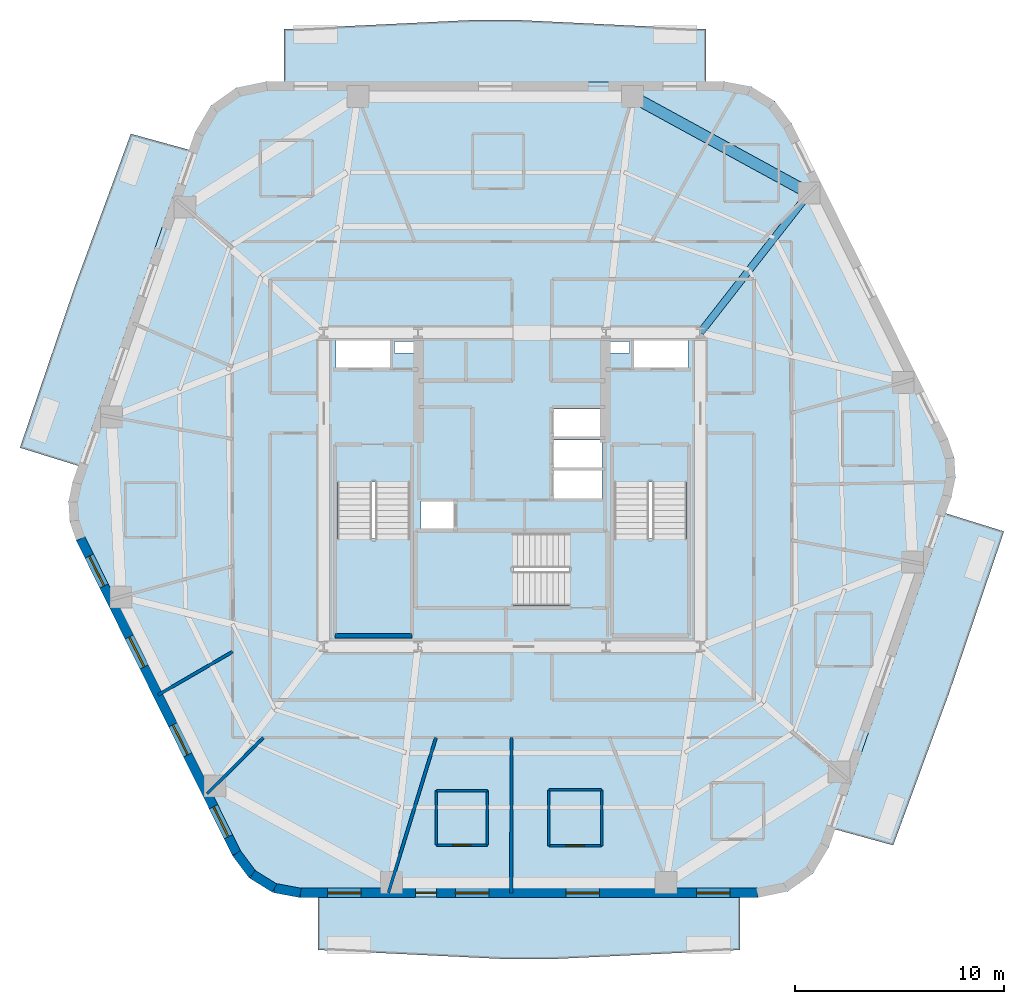
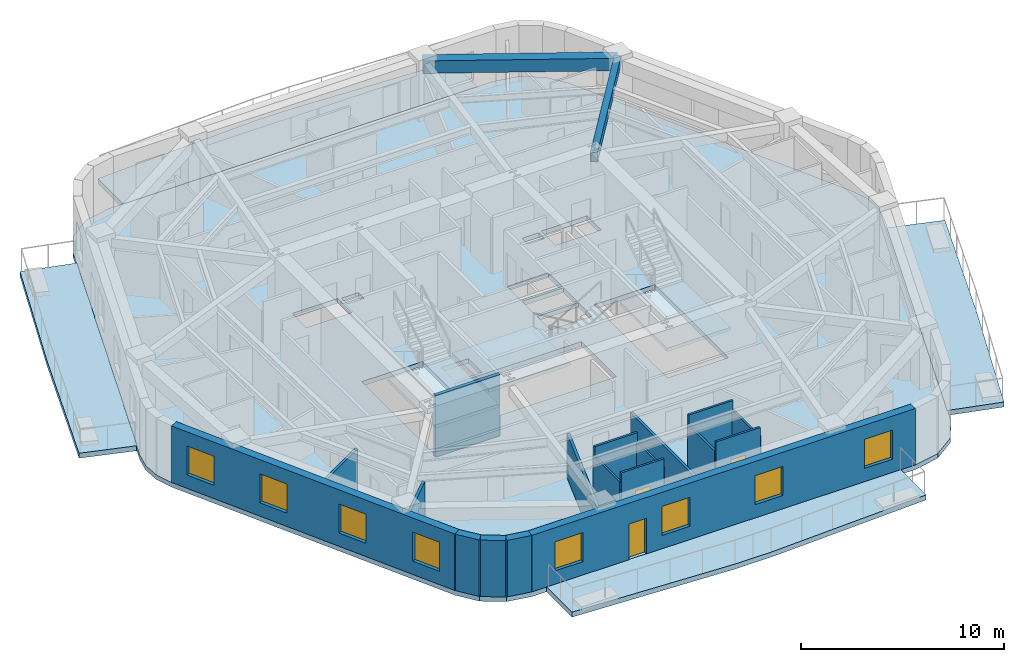
# One storey, part 2 of 11: 18 walls, 8 slabs, 8 windows, 3 doors, 2 beams, 11 openings, 3 elements without a shape of their own.
"""IFC4 building model written with IfcOpenShell, lengths in metres."""

from ifc_helpers import new_model, si_unit, direction, frame, frame_2d, origin, origin_2d, place, context, subcontext, project, spatial, polyline, rectangle, outline, extrude, material, layer, layer_set, material_profile, profile_set, type_object, element, fill, aggregate, save


model = new_model("IFC4")

# Units and contexts
model_context = context("Model", 3, precision=1e-05, world=origin(), true_north=direction((0.0, 1.0)))
body_context = subcontext(model_context, "Body", "Model", "MODEL_VIEW")
ifc_project = project(units=[si_unit("LENGTHUNIT", "METRE"), si_unit("AREAUNIT", "SQUARE_METRE"), si_unit("VOLUMEUNIT", "CUBIC_METRE"), si_unit("PLANEANGLEUNIT", "RADIAN"), si_unit("MASSUNIT", "GRAM", prefix="KILO")], contexts=[model_context])

# Site, building, storey
site_placement = place(None, origin())
site = spatial("IfcSite", under=ifc_project, at=site_placement, CompositionType="ELEMENT")
building_placement = place(site_placement, origin())
building = spatial("IfcBuilding", under=site, at=building_placement, Name="Kilnhurst Terrace Hotel", CompositionType="ELEMENT")
storey_placement = place(building_placement, frame((0.0, 0.0, 194.10009765625)))
storey = spatial("IfcBuildingStorey", under=building, at=storey_placement, Name="L48", CompositionType="ELEMENT", Elevation=194.10009765625)

# Beams
ifc_material_1 = material(Name="Concrete C50/60", Category="concrete")
ifc_material_profile_1 = material_profile(ifc_material_1, rectangle(XDim=0.35009765625, YDim=0.550048828125, at=origin_2d()), Name="RC350X550")
ifc_profile_set_1 = profile_set([ifc_material_profile_1], Name="Concrete C50/60")
beam_type_1 = type_object("IfcBeamType", Name="BM-RAD-350X550", PredefinedType="BEAM", material=ifc_profile_set_1)
beam_1_placement = place(storey_placement, frame((9.0, 7.5, 3.125), z_axis=(0.615370616457, 0.78823791104, 0.0), x_axis=(-0.78823791104, 0.615370616457, 0.0)))
element("IfcBeam", 1, at=beam_1_placement, inside=storey, type_object=beam_type_1, Name="L48 Radial Floor Beam 6", PredefinedType="BEAM", context=body_context, shape_type="SweptSolid", body=[
    extrude(rectangle(XDim=0.35009765625, YDim=0.550048828125, at=origin_2d()), origin(), (0.0, 0.0, 1.0), 8.456787109375),
])
ifc_material_profile_2 = material_profile(ifc_material_1, rectangle(XDim=0.550048828125, YDim=0.75, at=origin_2d()), Name="RC550X750")
ifc_profile_set_2 = profile_set([ifc_material_profile_2], Name="Concrete C50/60")
beam_type_2 = type_object("IfcBeamType", Name="BM-SPN-550X750", PredefinedType="SPANDREL", material=ifc_profile_set_2)
beam_2_placement = place(storey_placement, frame((14.2041015625, 14.166015625, 3.02490234375), z_axis=(-0.87766189723, 0.479280287672, 0.0), x_axis=(-0.479280287672, -0.87766189723, 0.0)))
element("IfcBeam", 2, at=beam_2_placement, inside=storey, type_object=beam_type_2, Name="L48 Perimeter Spandrel Beam 6", PredefinedType="SPANDREL", context=body_context, shape_type="SweptSolid", body=[
    extrude(rectangle(XDim=0.550048828125, YDim=0.75, at=origin_2d()), origin(), (0.0, 0.0, 1.0), 9.626953125),
])

# Slabs
ifc_layer_1 = layer(ifc_material_1, 0.300048828125, Name="Concrete C50/60")
ifc_layer_set_1 = layer_set([ifc_layer_1], Name="Concrete C50/60")
slab_type_1 = type_object("IfcSlabType", Name="SLB-BAL-300", PredefinedType="FLOOR", material=ifc_layer_set_1)
slab_1_placement = place(storey_placement, frame((0.0, 0.0, -0.300048828125)))
element("IfcSlab", 3, at=slab_1_placement, inside=storey, type_object=slab_type_1, Name="L48 Cantilevered Planted Terrace Slab BAL-L1A", PredefinedType="FLOOR", context=body_context, shape_type="SweptSolid", body=[
    extrude(outline(polyline([(1.83642578125, -22.43994140625), (-0.221923828125, -22.43994140625), (-9.279296875, -22.0), (-9.279296875, -19.47998046875), (10.8935546875, -19.47998046875), (10.8935546875, -22.0), (1.83642578125, -22.43994140625)])), origin(), (0.0, 0.0, 1.0), 0.300048828125),
])
slab_2_placement = place(storey_placement, frame((0.0, 0.0, -0.300048828125)))
element("IfcSlab", 4, at=slab_2_placement, inside=storey, type_object=slab_type_1, Name="L48 Cantilevered Planted Terrace Slab BAL-L1B", PredefinedType="FLOOR", context=body_context, shape_type="SweptSolid", body=[
    extrude(outline(polyline([(18.216064453125, -17.0), (15.420654296875, -16.2314453125), (20.708251953125, -1.128662109375), (23.511962890625, -2.0), (20.892333984375, -9.7119140625), (18.216064453125, -17.0)])), origin(), (0.0, 0.0, 1.0), 0.300048828125),
])
slab_3_placement = place(storey_placement, frame((0.0, 0.0, -0.300048828125)))
element("IfcSlab", 5, at=slab_3_placement, inside=storey, type_object=slab_type_1, Name="L48 Cantilevered Planted Terrace Slab BAL-L2A", PredefinedType="FLOOR", context=body_context, shape_type="SweptSolid", body=[
    extrude(outline(polyline([(0.221923828125, 22.43994140625), (9.279296875, 22.0), (9.279296875, 19.47998046875), (-10.8935546875, 19.47998046875), (-10.8935546875, 22.0), (-1.83642578125, 22.43994140625), (0.221923828125, 22.43994140625)])), origin(), (0.0, 0.0, 1.0), 0.300048828125),
])
slab_4_placement = place(storey_placement, frame((0.0, 0.0, -0.300048828125)))
element("IfcSlab", 6, at=slab_4_placement, inside=storey, type_object=slab_type_1, Name="L48 Cantilevered Planted Terrace Slab BAL-L2B", PredefinedType="FLOOR", context=body_context, shape_type="SweptSolid", body=[
    extrude(outline(polyline([(-18.216064453125, 17.0), (-15.420654296875, 16.2314453125), (-20.708251953125, 1.128662109375), (-23.511962890625, 2.0), (-20.892333984375, 9.7119140625), (-18.216064453125, 17.0)])), origin(), (0.0, 0.0, 1.0), 0.300048828125),
])
ifc_layer_2 = layer(ifc_material_1, 0.280029296875, Name="Concrete C50/60")
ifc_layer_set_2 = layer_set([ifc_layer_2], Name="Concrete C50/60")
slab_type_2 = type_object("IfcSlabType", Name="SLB-FLR-280", PredefinedType="FLOOR", material=ifc_layer_set_2)
slab_5_placement = place(storey_placement, frame((0.0, 0.0, -0.280029296875)))
element("IfcSlab", 7, at=slab_5_placement, inside=storey, type_object=slab_type_2, Name="L48 Structural Floor Slab", PredefinedType="FLOOR", context=body_context, shape_type="SweptSolid", body=[
    extrude(outline(polyline([(-13.3544921875, -17.499267578125), (-12.5576171875, -18.5576171875), (-11.431640625, -19.256103515625), (-10.12939453125, -19.5), (11.74365234375, -19.5), (13.18310546875, -19.19970703125), (14.38232421875, -18.348876953125), (15.141357421875, -17.089599609375), (20.9990234375, -0.3583984375), (21.192138671875, 0.57568359375), (21.13330078125, 1.527587890625), (20.82666015625, 2.4306640625), (13.3544921875, 17.499267578125), (12.5576171875, 18.5576171875), (11.431640625, 19.256103515625), (10.12939453125, 19.5), (-11.74365234375, 19.5), (-13.18310546875, 19.19970703125), (-14.38232421875, 18.348876953125), (-15.141357421875, 17.089599609375), (-20.9990234375, 0.3583984375), (-21.192138671875, -0.57568359375), (-21.13330078125, -1.527587890625), (-20.82666015625, -2.4306640625), (-13.3544921875, -17.499267578125)]), holes=[polyline([(2.7548828125, -2.080078125), (2.7548828125, -5.550048828125), (-4.5, -5.550048828125), (-4.5, -2.080078125), (2.7548828125, -2.080078125)]), polyline([(-8.35009765625, 0.35498046875), (-4.8798828125, 0.35498046875), (-4.8798828125, -6.89990234375), (-8.35009765625, -6.89990234375), (-8.35009765625, 0.35498046875)]), polyline([(-2.800048828125, -1.89990234375), (-4.35009765625, -1.89990234375), (-4.35009765625, -0.550048828125), (-2.800048828125, -0.550048828125), (-2.800048828125, -1.89990234375)]), polyline([(1.949951171875, -0.429931640625), (1.949951171875, 0.89990234375), (4.300048828125, 0.89990234375), (4.300048828125, -0.429931640625), (1.949951171875, -0.429931640625)]), polyline([(-8.39990234375, 5.75), (-8.39990234375, 7.14990234375), (-5.800048828125, 7.14990234375), (-5.800048828125, 5.75), (-8.39990234375, 5.75)]), polyline([(-4.659912109375, 6.52001953125), (-5.6201171875, 6.52001953125), (-5.6201171875, 7.080078125), (-4.659912109375, 7.080078125), (-4.659912109375, 6.52001953125)]), polyline([(8.35009765625, 0.35498046875), (8.35009765625, -6.89990234375), (4.8798828125, -6.89990234375), (4.8798828125, 0.35498046875), (8.35009765625, 0.35498046875)]), polyline([(1.949951171875, 1.050048828125), (1.949951171875, 2.3798828125), (4.300048828125, 2.3798828125), (4.300048828125, 1.050048828125), (1.949951171875, 1.050048828125)]), polyline([(4.300048828125, 2.530029296875), (1.949951171875, 2.530029296875), (1.949951171875, 3.860107421875), (4.300048828125, 3.860107421875), (4.300048828125, 2.530029296875)]), polyline([(5.800048828125, 5.75), (5.800048828125, 7.14990234375), (8.39990234375, 7.14990234375), (8.39990234375, 5.75), (5.800048828125, 5.75)]), polyline([(4.659912109375, 6.52001953125), (4.659912109375, 7.080078125), (5.6201171875, 7.080078125), (5.6201171875, 6.52001953125), (4.659912109375, 6.52001953125)])]), origin(), (0.0, 0.0, 1.0), 0.280029296875),
])

# Stair, slab
stair_type = type_object("IfcStairType", Name="STR-CORE-1660", PredefinedType="HALF_TURN_STAIR", material=ifc_material_1)
stair_1_placement = place(storey_placement, origin())
stair_1 = element("IfcStair", 8, at=stair_1_placement, inside=storey, type_object=stair_type, Name="L48 ST-1", PredefinedType="HALF_TURN_STAIR")
ifc_layer_3 = layer(ifc_material_1, 0.199951171875, Name="Concrete C50/60")
ifc_layer_set_3 = layer_set([ifc_layer_3], Name="Concrete C50/60")
slab_type_3 = type_object("IfcSlabType", Name="SLB-ST-LND-200", PredefinedType="LANDING", material=ifc_layer_set_3)
slab_6_placement = place(storey_placement, frame((0.0, 0.0, 1.64990234375)))
slab_6 = element("IfcSlab", 9, at=slab_6_placement, type_object=slab_type_3, Name="ST-1 landing 1", PredefinedType="LANDING", context=body_context, shape_type="SweptSolid", body=[
    extrude(outline(polyline([(-8.429931640625, -2.330078125), (-4.800048828125, -2.330078125), (-4.800048828125, -6.97998046875), (-8.429931640625, -6.97998046875), (-8.429931640625, -2.330078125)])), origin(), (0.0, 0.0, 1.0), 0.199951171875),
])
aggregate(stair_1, [slab_6])

stair_2_placement = place(storey_placement, origin())
stair_2 = element("IfcStair", 10, at=stair_2_placement, inside=storey, type_object=stair_type, Name="L48 ST-2", PredefinedType="HALF_TURN_STAIR")
slab_7_placement = place(storey_placement, frame((0.0, 0.0, 1.64990234375)))
slab_7 = element("IfcSlab", 11, at=slab_7_placement, type_object=slab_type_3, Name="ST-2 landing 1", PredefinedType="LANDING", context=body_context, shape_type="SweptSolid", body=[
    extrude(outline(polyline([(4.800048828125, -2.330078125), (8.429931640625, -2.330078125), (8.429931640625, -6.97998046875), (4.800048828125, -6.97998046875), (4.800048828125, -2.330078125)])), origin(), (0.0, 0.0, 1.0), 0.199951171875),
])
aggregate(stair_2, [slab_7])

stair_3_placement = place(storey_placement, origin())
stair_3 = element("IfcStair", 12, at=stair_3_placement, inside=storey, type_object=stair_type, Name="L48 ST-3", PredefinedType="HALF_TURN_STAIR")
slab_8_placement = place(storey_placement, frame((0.0, 0.0, 1.64990234375)))
slab_8 = element("IfcSlab", 13, at=slab_8_placement, type_object=slab_type_3, Name="ST-3 landing 1", PredefinedType="LANDING", context=body_context, shape_type="SweptSolid", body=[
    extrude(outline(polyline([(0.070068359375, -2.0), (0.070068359375, -5.6298828125), (-4.580078125, -5.6298828125), (-4.580078125, -2.0), (0.070068359375, -2.0)])), origin(), (0.0, 0.0, 1.0), 0.199951171875),
])
aggregate(stair_3, [slab_8])

# Walls
ifc_material_2 = material(Name="Precast concrete C40/50", Category="concrete")
ifc_layer_4 = layer(ifc_material_2, 0.449951171875, Name="Precast concrete C40/50")
ifc_layer_set_4 = layer_set([ifc_layer_4], Name="Precast concrete C40/50")
wall_type_1 = type_object("IfcWallType", Name="WL-BRK-450", PredefinedType="SOLIDWALL", material=ifc_layer_set_4)
wall_1_placement = place(storey_placement, frame((-13.162353515625, -17.380615234375, 0.0), z_axis=(0.0, 0.0, 1.0), x_axis=(0.601515770517, -0.798860925205, 0.0)))
element("IfcWall", 14, at=wall_1_placement, inside=storey, type_object=wall_type_1, Name="L48 Rounded Corner Brick Wall C1.1", PredefinedType="SOLIDWALL", context=body_context, shape_type="SweptSolid", body=[
    extrude(rectangle(XDim=1.261962890625, YDim=0.449951171875, at=frame_2d((0.630859375, 0.0))), origin(), (0.0, 0.0, 1.0), 3.39990234375),
])
wall_2_placement = place(storey_placement, frame((-12.4033203125, -18.388671875, 0.0), z_axis=(0.0, 0.0, 1.0), x_axis=(0.849795170926, -0.527113049991, 0.0)))
element("IfcWall", 15, at=wall_2_placement, inside=storey, type_object=wall_type_1, Name="L48 Rounded Corner Brick Wall C1.2", PredefinedType="SOLIDWALL", context=body_context, shape_type="SweptSolid", body=[
    extrude(rectangle(XDim=1.24072265625, YDim=0.449951171875, at=frame_2d((0.620361328125, 0.0))), origin(), (0.0, 0.0, 1.0), 3.39990234375),
])
wall_3_placement = place(storey_placement, frame((-11.348876953125, -19.042724609375, 0.0), z_axis=(0.0, 0.0, 1.0), x_axis=(0.982931267051, -0.183973161772, 0.0)))
element("IfcWall", 16, at=wall_3_placement, inside=storey, type_object=wall_type_1, Name="L48 Rounded Corner Brick Wall C1.3", PredefinedType="SOLIDWALL", context=body_context, shape_type="SweptSolid", body=[
    extrude(rectangle(XDim=1.261962890625, YDim=0.449951171875, at=frame_2d((0.630859375, 0.0))), origin(), (0.0, 0.0, 1.0), 3.39990234375),
])

# Wall, openings, door, windows
wall_4_placement = place(storey_placement, frame((-10.1083984375, -19.27490234375, 0.0), z_axis=(0.0, 0.0, 1.0), x_axis=(1.0, 0.0, 0.0)))
wall_4 = element("IfcWall", 17, at=wall_4_placement, inside=storey, type_object=wall_type_1, Name="L48 Exterior Brick Facade Wall F1", PredefinedType="SOLIDWALL", context=body_context, shape_type="SweptSolid", body=[
    extrude(rectangle(XDim=21.828857421875, YDim=0.449951171875, at=frame_2d((10.91455078125, 0.0))), origin(), (0.0, 0.0, 1.0), 3.39990234375),
])
opening_1_placement = place(wall_4_placement, frame((5.5029296875, 0.0, 0.0)))
opening_1 = element("IfcOpeningElement", 18, at=opening_1_placement, cuts=wall_4, Name="Opening BD-1000", PredefinedType="OPENING", context=body_context, shape_type="SweptSolid", body=[
    extrude(rectangle(XDim=1.0, YDim=2.14990234375, at=frame_2d((0.5, 1.074951171875))), frame((0.0, 0.23486328125, 0.0), z_axis=(0.0, -1.0, 0.0), x_axis=(1.0, 0.0, 0.0)), (0.0, 0.0, 1.0), 0.469970703125),
])
opening_2_placement = place(wall_4_placement, frame((1.297119140625, 0.0, 0.800048828125)))
opening_2 = element("IfcOpeningElement", 19, at=opening_2_placement, cuts=wall_4, Name="Opening W-05", PredefinedType="OPENING", context=body_context, shape_type="SweptSolid", body=[
    extrude(rectangle(XDim=1.60009765625, YDim=1.75, at=frame_2d((0.800048828125, 0.875))), frame((0.0, 0.23486328125, 0.0), z_axis=(0.0, -1.0, 0.0), x_axis=(1.0, 0.0, 0.0)), (0.0, 0.0, 1.0), 0.469970703125),
])
opening_3_placement = place(wall_4_placement, frame((7.402099609375, 0.0, 0.800048828125)))
opening_3 = element("IfcOpeningElement", 20, at=opening_3_placement, cuts=wall_4, Name="Opening W-05", PredefinedType="OPENING", context=body_context, shape_type="SweptSolid", body=[
    extrude(rectangle(XDim=1.60009765625, YDim=1.75, at=frame_2d((0.800048828125, 0.875))), frame((0.0, 0.23486328125, 0.0), z_axis=(0.0, -1.0, 0.0), x_axis=(1.0, 0.0, 0.0)), (0.0, 0.0, 1.0), 0.469970703125),
])
opening_4_placement = place(wall_4_placement, frame((12.68408203125, 0.0, 0.800048828125)))
opening_4 = element("IfcOpeningElement", 21, at=opening_4_placement, cuts=wall_4, Name="Opening W-05", PredefinedType="OPENING", context=body_context, shape_type="SweptSolid", body=[
    extrude(rectangle(XDim=1.60009765625, YDim=1.75, at=frame_2d((0.800048828125, 0.875))), frame((0.0, 0.23486328125, 0.0), z_axis=(0.0, -1.0, 0.0), x_axis=(1.0, 0.0, 0.0)), (0.0, 0.0, 1.0), 0.469970703125),
])
opening_5_placement = place(wall_4_placement, frame((18.93310546875, 0.0, 0.800048828125)))
opening_5 = element("IfcOpeningElement", 22, at=opening_5_placement, cuts=wall_4, Name="Opening W-05", PredefinedType="OPENING", context=body_context, shape_type="SweptSolid", body=[
    extrude(rectangle(XDim=1.60009765625, YDim=1.75, at=frame_2d((0.800048828125, 0.875))), frame((0.0, 0.23486328125, 0.0), z_axis=(0.0, -1.0, 0.0), x_axis=(1.0, 0.0, 0.0)), (0.0, 0.0, 1.0), 0.469970703125),
])
ifc_material_3 = material(Name="Thermally Broken Bronze Aluminium Alloy 6063-T6 and Laminated Glass", Category="aluminium")
door_type_1 = type_object("IfcDoorType", Name="DR-EXT-BAL-1000", OperationType="NOTDEFINED", PredefinedType="DOOR", material=ifc_material_3)
door_1_placement = place(opening_1_placement, origin())
door_1 = element("IfcDoor", 23, at=door_1_placement, inside=storey, type_object=door_type_1, Name="L48 Planted Balcony Door BAL-L1A", OperationType="SINGLE_SWING_LEFT", OverallHeight=2.14990234375, OverallWidth=1.0, PredefinedType="DOOR", context=body_context, shape_type="SweptSolid", body=[
    extrude(rectangle(XDim=1.0, YDim=2.14990234375, at=frame_2d((0.5, 1.074951171875))), frame((0.0, 0.02490234375, 0.0), z_axis=(0.0, -1.0, 0.0), x_axis=(1.0, 0.0, 0.0)), (0.0, 0.0, 1.0), 0.050048828125),
])
fill(opening_1, door_1)
ifc_material_4 = material(Name="Thermally Broken Bronze Aluminium Alloy 6063-T6 and Low-E Glass", Category="aluminium")
window_type = type_object("IfcWindowType", Name="WIN-1600X1750", PartitioningType="SINGLE_PANEL", PredefinedType="WINDOW", material=ifc_material_4)
window_1_placement = place(opening_2_placement, origin())
window_1 = element("IfcWindow", 24, at=window_1_placement, inside=storey, type_object=window_type, Name="L48 Deep-Set Masonry Window F1.1", OverallHeight=1.75, OverallWidth=1.60009765625, PartitioningType="SINGLE_PANEL", PredefinedType="WINDOW", context=body_context, shape_type="SweptSolid", body=[
    extrude(rectangle(XDim=1.60009765625, YDim=1.75, at=frame_2d((0.800048828125, 0.875))), frame((0.0, 0.030029296875, 0.0), z_axis=(0.0, -1.0, 0.0), x_axis=(1.0, 0.0, 0.0)), (0.0, 0.0, 1.0), 0.06005859375),
])
fill(opening_2, window_1)
window_2_placement = place(opening_3_placement, origin())
window_2 = element("IfcWindow", 25, at=window_2_placement, inside=storey, type_object=window_type, Name="L48 Deep-Set Masonry Window F1.2", OverallHeight=1.75, OverallWidth=1.60009765625, PartitioningType="SINGLE_PANEL", PredefinedType="WINDOW", context=body_context, shape_type="SweptSolid", body=[
    extrude(rectangle(XDim=1.60009765625, YDim=1.75, at=frame_2d((0.800048828125, 0.875))), frame((0.0, 0.030029296875, 0.0), z_axis=(0.0, -1.0, 0.0), x_axis=(1.0, 0.0, 0.0)), (0.0, 0.0, 1.0), 0.06005859375),
])
fill(opening_3, window_2)
window_3_placement = place(opening_4_placement, origin())
window_3 = element("IfcWindow", 26, at=window_3_placement, inside=storey, type_object=window_type, Name="L48 Deep-Set Masonry Window F1.3", OverallHeight=1.75, OverallWidth=1.60009765625, PartitioningType="SINGLE_PANEL", PredefinedType="WINDOW", context=body_context, shape_type="SweptSolid", body=[
    extrude(rectangle(XDim=1.60009765625, YDim=1.75, at=frame_2d((0.800048828125, 0.875))), frame((0.0, 0.030029296875, 0.0), z_axis=(0.0, -1.0, 0.0), x_axis=(1.0, 0.0, 0.0)), (0.0, 0.0, 1.0), 0.06005859375),
])
fill(opening_4, window_3)
window_4_placement = place(opening_5_placement, origin())
window_4 = element("IfcWindow", 27, at=window_4_placement, inside=storey, type_object=window_type, Name="L48 Deep-Set Masonry Window F1.4", OverallHeight=1.75, OverallWidth=1.60009765625, PartitioningType="SINGLE_PANEL", PredefinedType="WINDOW", context=body_context, shape_type="SweptSolid", body=[
    extrude(rectangle(XDim=1.60009765625, YDim=1.75, at=frame_2d((0.800048828125, 0.875))), frame((0.0, 0.030029296875, 0.0), z_axis=(0.0, -1.0, 0.0), x_axis=(1.0, 0.0, 0.0)), (0.0, 0.0, 1.0), 0.06005859375),
])
fill(opening_5, window_4)

# Wall, openings, windows
wall_5_placement = place(storey_placement, frame((-20.618408203125, -2.343994140625, 0.0), z_axis=(0.0, 0.0, 1.0), x_axis=(0.444243691097, -0.895905990002, 0.0)))
wall_5 = element("IfcWall", 28, at=wall_5_placement, inside=storey, type_object=wall_type_1, Name="L48 Exterior Brick Facade Wall F6", PredefinedType="SOLIDWALL", context=body_context, shape_type="SweptSolid", body=[
    extrude(rectangle(XDim=16.78369140625, YDim=0.449951171875, at=frame_2d((8.391845703125, 0.0))), origin(), (0.0, 0.0, 1.0), 3.39990234375),
])
opening_6_placement = place(wall_5_placement, frame((0.930908203125, 0.0, 0.800048828125)))
opening_6 = element("IfcOpeningElement", 29, at=opening_6_placement, cuts=wall_5, Name="Opening W-05", PredefinedType="OPENING", context=body_context, shape_type="SweptSolid", body=[
    extrude(rectangle(XDim=1.60009765625, YDim=1.75, at=frame_2d((0.800048828125, 0.875))), frame((0.0, 0.23486328125, 0.0), z_axis=(0.0, -1.0, 0.0), x_axis=(1.0, 0.0, 0.0)), (0.0, 0.0, 1.0), 0.469970703125),
])
opening_7_placement = place(wall_5_placement, frame((5.2451171875, 0.0, 0.800048828125)))
opening_7 = element("IfcOpeningElement", 30, at=opening_7_placement, cuts=wall_5, Name="Opening W-05", PredefinedType="OPENING", context=body_context, shape_type="SweptSolid", body=[
    extrude(rectangle(XDim=1.60009765625, YDim=1.75, at=frame_2d((0.800048828125, 0.875))), frame((0.0, 0.23486328125, 0.0), z_axis=(0.0, -1.0, 0.0), x_axis=(1.0, 0.0, 0.0)), (0.0, 0.0, 1.0), 0.469970703125),
])
opening_8_placement = place(wall_5_placement, frame((9.93603515625, 0.0, 0.800048828125)))
opening_8 = element("IfcOpeningElement", 31, at=opening_8_placement, cuts=wall_5, Name="Opening W-05", PredefinedType="OPENING", context=body_context, shape_type="SweptSolid", body=[
    extrude(rectangle(XDim=1.60009765625, YDim=1.75, at=frame_2d((0.800048828125, 0.875))), frame((0.0, 0.23486328125, 0.0), z_axis=(0.0, -1.0, 0.0), x_axis=(1.0, 0.0, 0.0)), (0.0, 0.0, 1.0), 0.469970703125),
])
opening_9_placement = place(wall_5_placement, frame((14.302978515625, 0.0, 0.800048828125)))
opening_9 = element("IfcOpeningElement", 32, at=opening_9_placement, cuts=wall_5, Name="Opening W-05", PredefinedType="OPENING", context=body_context, shape_type="SweptSolid", body=[
    extrude(rectangle(XDim=1.60009765625, YDim=1.75, at=frame_2d((0.800048828125, 0.875))), frame((0.0, 0.23486328125, 0.0), z_axis=(0.0, -1.0, 0.0), x_axis=(1.0, 0.0, 0.0)), (0.0, 0.0, 1.0), 0.469970703125),
])
window_5_placement = place(opening_6_placement, origin())
window_5 = element("IfcWindow", 33, at=window_5_placement, inside=storey, type_object=window_type, Name="L48 Deep-Set Masonry Window F6.1", OverallHeight=1.75, OverallWidth=1.60009765625, PartitioningType="SINGLE_PANEL", PredefinedType="WINDOW", context=body_context, shape_type="SweptSolid", body=[
    extrude(rectangle(XDim=1.60009765625, YDim=1.75, at=frame_2d((0.800048828125, 0.875))), frame((0.0, 0.030029296875, 0.0), z_axis=(0.0, -1.0, 0.0), x_axis=(1.0, 0.0, 0.0)), (0.0, 0.0, 1.0), 0.06005859375),
])
fill(opening_6, window_5)
window_6_placement = place(opening_7_placement, origin())
window_6 = element("IfcWindow", 34, at=window_6_placement, inside=storey, type_object=window_type, Name="L48 Deep-Set Masonry Window F6.2", OverallHeight=1.75, OverallWidth=1.60009765625, PartitioningType="SINGLE_PANEL", PredefinedType="WINDOW", context=body_context, shape_type="SweptSolid", body=[
    extrude(rectangle(XDim=1.60009765625, YDim=1.75, at=frame_2d((0.800048828125, 0.875))), frame((0.0, 0.030029296875, 0.0), z_axis=(0.0, -1.0, 0.0), x_axis=(1.0, 0.0, 0.0)), (0.0, 0.0, 1.0), 0.06005859375),
])
fill(opening_7, window_6)
window_7_placement = place(opening_8_placement, origin())
window_7 = element("IfcWindow", 35, at=window_7_placement, inside=storey, type_object=window_type, Name="L48 Deep-Set Masonry Window F6.3", OverallHeight=1.75, OverallWidth=1.60009765625, PartitioningType="SINGLE_PANEL", PredefinedType="WINDOW", context=body_context, shape_type="SweptSolid", body=[
    extrude(rectangle(XDim=1.60009765625, YDim=1.75, at=frame_2d((0.800048828125, 0.875))), frame((0.0, 0.030029296875, 0.0), z_axis=(0.0, -1.0, 0.0), x_axis=(1.0, 0.0, 0.0)), (0.0, 0.0, 1.0), 0.06005859375),
])
fill(opening_8, window_7)
window_8_placement = place(opening_9_placement, origin())
window_8 = element("IfcWindow", 36, at=window_8_placement, inside=storey, type_object=window_type, Name="L48 Deep-Set Masonry Window F6.4", OverallHeight=1.75, OverallWidth=1.60009765625, PartitioningType="SINGLE_PANEL", PredefinedType="WINDOW", context=body_context, shape_type="SweptSolid", body=[
    extrude(rectangle(XDim=1.60009765625, YDim=1.75, at=frame_2d((0.800048828125, 0.875))), frame((0.0, 0.030029296875, 0.0), z_axis=(0.0, -1.0, 0.0), x_axis=(1.0, 0.0, 0.0)), (0.0, 0.0, 1.0), 0.06005859375),
])
fill(opening_9, window_8)

# Walls
ifc_material_5 = material(Name="STC-58 Acoustic Twin-Frame Guestroom Demising Partition")
ifc_layer_5 = layer(ifc_material_5, 0.14990234375, Name="STC-58 Acoustic Twin-Frame Guestroom Demising Partition")
ifc_layer_set_5 = layer_set([ifc_layer_5], Name="STC-58 Acoustic Twin-Frame Guestroom Demising Partition")
wall_type_2 = type_object("IfcWallType", Name="WL-DEM-150", PredefinedType="PARTITIONING", material=ifc_layer_set_5)
wall_6_placement = place(storey_placement, frame((-13.35009765625, -7.74755859375, 0.0), z_axis=(0.0, 0.0, 1.0), x_axis=(-0.864894342526, -0.501953958313, 0.0)))
element("IfcWall", 37, at=wall_6_placement, inside=storey, type_object=wall_type_2, Name="L48 Interior Wall WL-L48-DEM-MID07-11-1", PredefinedType="PARTITIONING", context=body_context, shape_type="SweptSolid", body=[
    extrude(rectangle(XDim=4.1201171875, YDim=0.14990234375, at=frame_2d((2.06005859375, 0.0))), origin(), (0.0, 0.0, 1.0), 2.639892578125),
])
wall_7_placement = place(storey_placement, frame((-11.8818359375, -11.85009765625, 0.0), z_axis=(0.0, 0.0, 1.0), x_axis=(-0.708037373639, -0.706174962407, 0.0)))
element("IfcWall", 38, at=wall_7_placement, inside=storey, type_object=wall_type_2, Name="L48 Interior Wall WL-L48-DEM-COL08-12-1", PredefinedType="PARTITIONING", context=body_context, shape_type="SweptSolid", body=[
    extrude(rectangle(XDim=3.801513671875, YDim=0.14990234375, at=frame_2d((1.90087890625, 0.0))), origin(), (0.0, 0.0, 1.0), 2.639892578125),
])
wall_8_placement = place(storey_placement, frame((-3.63134765625, -11.85009765625, 0.0), z_axis=(0.0, 0.0, 1.0), x_axis=(-0.293007573338, -0.956110120209, 0.0)))
element("IfcWall", 39, at=wall_8_placement, inside=storey, type_object=wall_type_2, Name="L48 Interior Wall WL-L48-DEM-COL09-13-1", PredefinedType="PARTITIONING", context=body_context, shape_type="SweptSolid", body=[
    extrude(rectangle(XDim=7.765625, YDim=0.14990234375, at=frame_2d((3.8828125, 0.0))), origin(), (0.0, 0.0, 1.0), 2.639892578125),
])
wall_9_placement = place(storey_placement, frame((-0.023681640625, -11.85009765625, 0.0), z_axis=(0.0, 0.0, 1.0), x_axis=(-0.001972901592, -0.999998053828, 0.0)))
element("IfcWall", 40, at=wall_9_placement, inside=storey, type_object=wall_type_2, Name="L48 Interior Wall WL-L48-DEM-MID09-14-1", PredefinedType="PARTITIONING", context=body_context, shape_type="SweptSolid", body=[
    extrude(rectangle(XDim=7.4248046875, YDim=0.14990234375, at=frame_2d((3.71240234375, 0.0))), origin(), (0.0, 0.0, 1.0), 2.639892578125),
])

# Wall, opening, door
ifc_material_6 = material(Name="120 mm Moisture-Resistant Tile-Backed Bathroom Partition")
ifc_layer_6 = layer(ifc_material_6, 0.1201171875, Name="120 mm Moisture-Resistant Tile-Backed Bathroom Partition")
ifc_layer_set_6 = layer_set([ifc_layer_6], Name="120 mm Moisture-Resistant Tile-Backed Bathroom Partition")
wall_type_3 = type_object("IfcWallType", Name="WL-PART-120", PredefinedType="PARTITIONING", material=ifc_layer_set_6)
wall_10_placement = place(storey_placement, frame((-3.614990234375, -16.992919921875, 0.0), z_axis=(0.0, 0.0, 1.0), x_axis=(1.0, 0.0, 0.0)))
wall_10 = element("IfcWall", 41, at=wall_10_placement, inside=storey, type_object=wall_type_3, Name="L48 Interior Wall WL-L48-BTH-13-1", PredefinedType="PARTITIONING", context=body_context, shape_type="SweptSolid", body=[
    extrude(rectangle(XDim=2.43994140625, YDim=0.1201171875, at=frame_2d((1.219970703125, 0.0))), origin(), (0.0, 0.0, 1.0), 3.39990234375),
])
opening_10_placement = place(wall_10_placement, frame((0.794921875, 0.0, 0.0)))
opening_10 = element("IfcOpeningElement", 42, at=opening_10_placement, cuts=wall_10, Name="Opening D-08A", PredefinedType="OPENING", context=body_context, shape_type="SweptSolid", body=[
    extrude(rectangle(XDim=0.85009765625, YDim=2.030029296875, at=frame_2d((0.425048828125, 1.01513671875))), frame((0.0, 0.070068359375, 0.0), z_axis=(0.0, -1.0, 0.0), x_axis=(1.0, 0.0, 0.0)), (0.0, 0.0, 1.0), 0.14013671875),
])
ifc_material_7 = material(Name="Moisture-Resistant Lacquered En-suite Bathroom Door")
door_type_2 = type_object("IfcDoorType", Name="DR-INT-850", OperationType="NOTDEFINED", PredefinedType="DOOR", material=ifc_material_7)
door_2_placement = place(opening_10_placement, origin())
door_2 = element("IfcDoor", 43, at=door_2_placement, inside=storey, type_object=door_type_2, Name="L48 En-suite Bathroom Door 13", OperationType="SINGLE_SWING_RIGHT", OverallHeight=2.030029296875, OverallWidth=0.85009765625, PredefinedType="DOOR", context=body_context, shape_type="SweptSolid", body=[
    extrude(rectangle(XDim=0.85009765625, YDim=2.030029296875, at=frame_2d((0.425048828125, 1.01513671875))), frame((0.0, 0.02490234375, 0.0), z_axis=(0.0, -1.0, 0.0), x_axis=(1.0, 0.0, 0.0)), (0.0, 0.0, 1.0), 0.050048828125),
])
fill(opening_10, door_2)

# Walls
wall_11_placement = place(storey_placement, frame((-1.175048828125, -16.992919921875, 0.0), z_axis=(0.0, 0.0, 1.0), x_axis=(0.0, 1.0, 0.0)))
element("IfcWall", 44, at=wall_11_placement, inside=storey, type_object=wall_type_3, Name="L48 Interior Wall WL-L48-BTH-13-2", PredefinedType="PARTITIONING", context=body_context, shape_type="SweptSolid", body=[
    extrude(rectangle(XDim=2.60986328125, YDim=0.1201171875, at=frame_2d((1.304931640625, 0.0))), origin(), (0.0, 0.0, 1.0), 2.84033203125),
])
wall_12_placement = place(storey_placement, frame((-1.175048828125, -14.383056640625, 0.0), z_axis=(0.0, 0.0, 1.0), x_axis=(-1.0, 0.0, 0.0)))
element("IfcWall", 45, at=wall_12_placement, inside=storey, type_object=wall_type_3, Name="L48 Interior Wall WL-L48-BTH-13-3", PredefinedType="PARTITIONING", context=body_context, shape_type="SweptSolid", body=[
    extrude(rectangle(XDim=2.43994140625, YDim=0.1201171875, at=frame_2d((1.219970703125, 0.0))), origin(), (0.0, 0.0, 1.0), 3.39990234375),
])
wall_13_placement = place(storey_placement, frame((-3.614990234375, -14.383056640625, 0.0), z_axis=(0.0, 0.0, 1.0), x_axis=(0.0, -1.0, 0.0)))
element("IfcWall", 46, at=wall_13_placement, inside=storey, type_object=wall_type_3, Name="L48 Interior Wall WL-L48-BTH-13-4", PredefinedType="PARTITIONING", context=body_context, shape_type="SweptSolid", body=[
    extrude(rectangle(XDim=2.60986328125, YDim=0.1201171875, at=frame_2d((1.304931640625, 0.0))), origin(), (0.0, 0.0, 1.0), 2.84033203125),
])

# Wall, opening, door
wall_14_placement = place(storey_placement, frame((1.762939453125, -17.028076171875, 0.0), z_axis=(0.0, 0.0, 1.0), x_axis=(1.0, 0.0, 0.0)))
wall_14 = element("IfcWall", 47, at=wall_14_placement, inside=storey, type_object=wall_type_3, Name="L48 Interior Wall WL-L48-BTH-14-1", PredefinedType="PARTITIONING", context=body_context, shape_type="SweptSolid", body=[
    extrude(rectangle(XDim=2.52001953125, YDim=0.1201171875, at=frame_2d((1.260009765625, 0.0))), origin(), (0.0, 0.0, 1.0), 3.39990234375),
])
opening_11_placement = place(wall_14_placement, frame((0.8349609375, 0.0, 0.0)))
opening_11 = element("IfcOpeningElement", 48, at=opening_11_placement, cuts=wall_14, Name="Opening D-08A", PredefinedType="OPENING", context=body_context, shape_type="SweptSolid", body=[
    extrude(rectangle(XDim=0.85009765625, YDim=2.030029296875, at=frame_2d((0.425048828125, 1.01513671875))), frame((0.0, 0.070068359375, 0.0), z_axis=(0.0, -1.0, 0.0), x_axis=(1.0, 0.0, 0.0)), (0.0, 0.0, 1.0), 0.14013671875),
])
door_3_placement = place(opening_11_placement, origin())
door_3 = element("IfcDoor", 49, at=door_3_placement, inside=storey, type_object=door_type_2, Name="L48 En-suite Bathroom Door 14", OperationType="SINGLE_SWING_LEFT", OverallHeight=2.030029296875, OverallWidth=0.85009765625, PredefinedType="DOOR", context=body_context, shape_type="SweptSolid", body=[
    extrude(rectangle(XDim=0.85009765625, YDim=2.030029296875, at=frame_2d((0.425048828125, 1.01513671875))), frame((0.0, 0.02490234375, 0.0), z_axis=(0.0, -1.0, 0.0), x_axis=(1.0, 0.0, 0.0)), (0.0, 0.0, 1.0), 0.050048828125),
])
fill(opening_11, door_3)

# Walls
wall_15_placement = place(storey_placement, frame((4.282958984375, -17.028076171875, 0.0), z_axis=(0.0, 0.0, 1.0), x_axis=(0.0, 1.0, 0.0)))
element("IfcWall", 50, at=wall_15_placement, inside=storey, type_object=wall_type_3, Name="L48 Interior Wall WL-L48-BTH-14-2", PredefinedType="PARTITIONING", context=body_context, shape_type="SweptSolid", body=[
    extrude(rectangle(XDim=2.68017578125, YDim=0.1201171875, at=frame_2d((1.340087890625, 0.0))), origin(), (0.0, 0.0, 1.0), 2.84033203125),
])
wall_16_placement = place(storey_placement, frame((4.282958984375, -14.347900390625, 0.0), z_axis=(0.0, 0.0, 1.0), x_axis=(-1.0, 0.0, 0.0)))
element("IfcWall", 51, at=wall_16_placement, inside=storey, type_object=wall_type_3, Name="L48 Interior Wall WL-L48-BTH-14-3", PredefinedType="PARTITIONING", context=body_context, shape_type="SweptSolid", body=[
    extrude(rectangle(XDim=2.52001953125, YDim=0.1201171875, at=frame_2d((1.260009765625, 0.0))), origin(), (0.0, 0.0, 1.0), 3.39990234375),
])
wall_17_placement = place(storey_placement, frame((1.762939453125, -14.347900390625, 0.0), z_axis=(0.0, 0.0, 1.0), x_axis=(0.0, -1.0, 0.0)))
element("IfcWall", 52, at=wall_17_placement, inside=storey, type_object=wall_type_3, Name="L48 Interior Wall WL-L48-BTH-14-4", PredefinedType="PARTITIONING", context=body_context, shape_type="SweptSolid", body=[
    extrude(rectangle(XDim=2.68017578125, YDim=0.1201171875, at=frame_2d((1.340087890625, 0.0))), origin(), (0.0, 0.0, 1.0), 2.84033203125),
])
ifc_layer_7 = layer(ifc_material_1, 0.199951171875, Name="Concrete C50/60")
ifc_layer_set_7 = layer_set([ifc_layer_7], Name="Concrete C50/60")
wall_type_4 = type_object("IfcWallType", Name="WL-STAIR-RC-200", PredefinedType="SHEAR", material=ifc_layer_set_7)
wall_18_placement = place(storey_placement, frame((-8.4580078125, -6.985107421875, 0.0), z_axis=(0.0, 0.0, 1.0), x_axis=(1.0, 0.0, 0.0)))
element("IfcWall", 53, at=wall_18_placement, inside=storey, type_object=wall_type_4, Name="L48 Structural Stair Shaft Wall WL-L48-ST1-S", PredefinedType="SHEAR", context=body_context, shape_type="SweptSolid", body=[
    extrude(rectangle(XDim=3.68603515625, YDim=0.199951171875, at=frame_2d((1.843017578125, 0.0))), origin(), (0.0, 0.0, 1.0), 3.699951171875),
])

save(model, "model.ifc")
